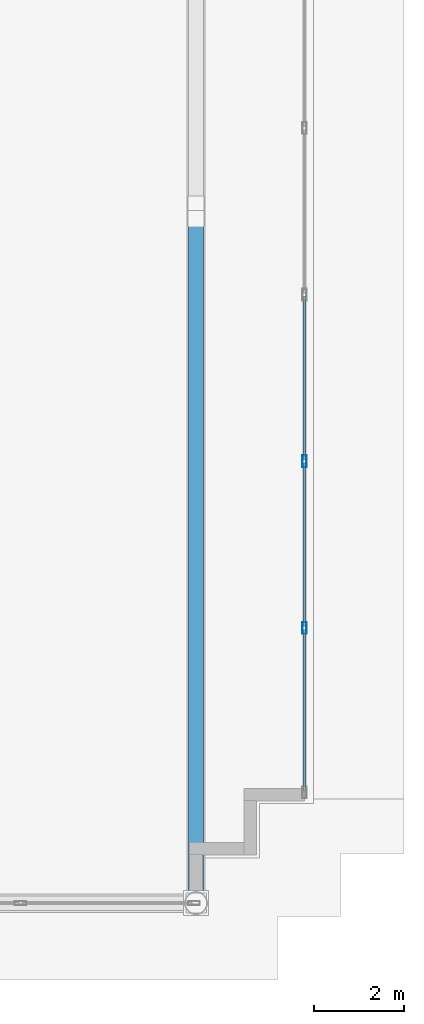
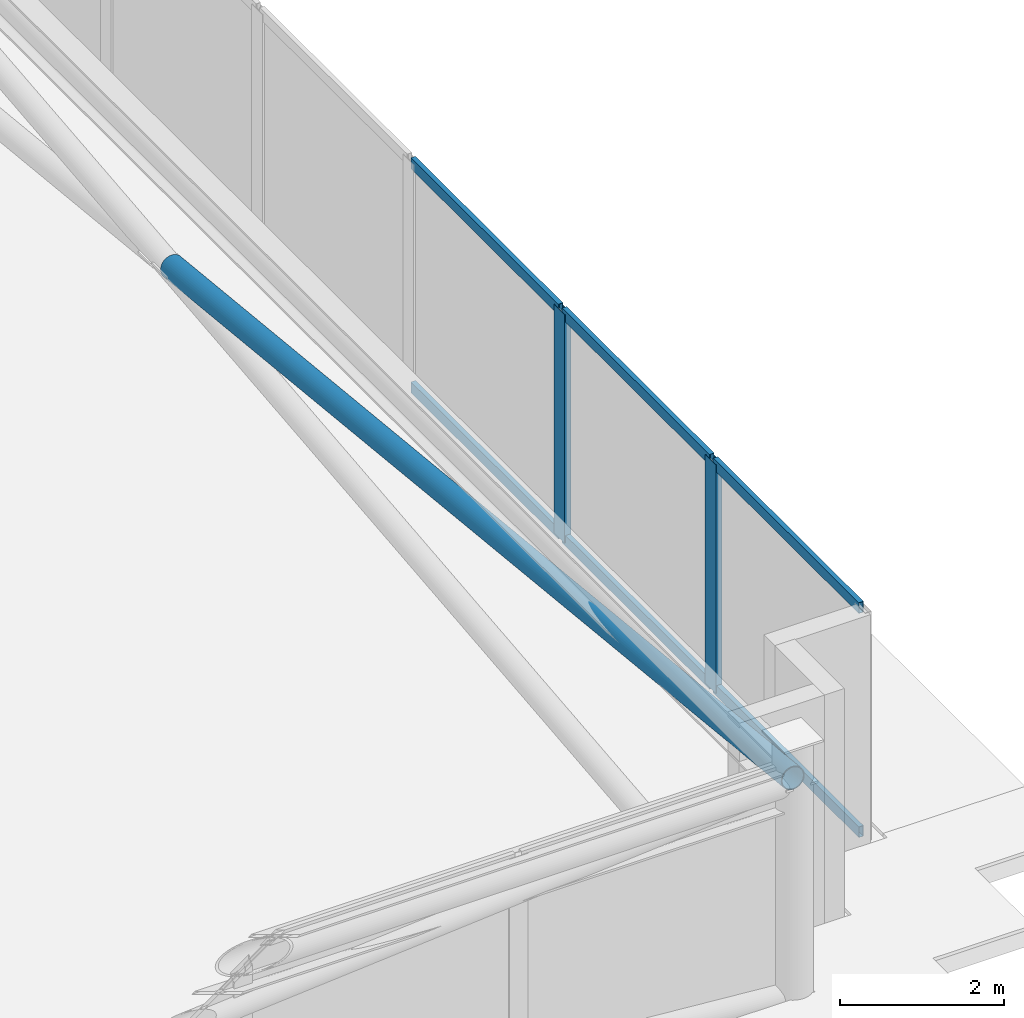
# One storey, part 15 of 23: 9 members, 1 element without a shape of its own.
"""IFC4 building model written with IfcOpenShell, lengths in metres."""

from ifc_helpers import new_model, si_unit, direction, frame, origin, origin_2d, place, context, subcontext, project, spatial, hollow_rectangle, hollow_circle, extrude, material, layer, layer_set, material_profile, profile_set, type_object, element, aggregate, save


model = new_model("IFC4")

# Units and contexts
model_context = context("Model", 3, precision=1e-05, world=origin(), true_north=direction((0.0, 1.0)))
body_context = subcontext(model_context, "Body", "Model", "MODEL_VIEW")
ifc_project = project(units=[si_unit("LENGTHUNIT", "METRE"), si_unit("AREAUNIT", "SQUARE_METRE"), si_unit("VOLUMEUNIT", "CUBIC_METRE"), si_unit("PLANEANGLEUNIT", "RADIAN"), si_unit("MASSUNIT", "GRAM", prefix="KILO")], contexts=[model_context])

# Site, building, storey
site_placement = place(None, origin())
site = spatial("IfcSite", under=ifc_project, at=site_placement, CompositionType="ELEMENT")
building_placement = place(site_placement, origin())
building = spatial("IfcBuilding", under=site, at=building_placement, Name="Qobustan Lattice House", CompositionType="ELEMENT")
storey_placement = place(building_placement, frame((0.0, 0.0, 270.199951171875)))
storey = spatial("IfcBuildingStorey", under=building, at=storey_placement, Name="L76", CompositionType="ELEMENT", Elevation=270.199951171875)

# Curtain wall, members
ifc_material_1 = material(Name="Anodised aluminium and low-E glazing", Category="aluminium")
ifc_layer = layer(ifc_material_1, 0.219970703125)
ifc_layer_set = layer_set([ifc_layer], Name="Anodised aluminium and low-E glazing")
curtain_wall_type = type_object("IfcCurtainWallType", Name="CW-CRN-01", PredefinedType="USERDEFINED", material=ifc_layer_set)
curtain_wall_placement = place(storey_placement, origin())
curtain_wall = element("IfcCurtainWall", 1, at=curtain_wall_placement, inside=storey, type_object=curtain_wall_type, Name="L76 glass-point crown faceted curtain wall 15", ObjectType="CURTAIN WALL", PredefinedType="USERDEFINED")
ifc_material_2 = material(Name="Anodised aluminium EN AW-6063 T6", Category="aluminium")
ifc_material_profile_1 = material_profile(ifc_material_2, hollow_rectangle(XDim=0.090087890625, YDim=0.260009765625, WallThickness=0.006103515625, at=origin_2d()), Name="CWM-CROWN-260x90")
ifc_profile_set_1 = profile_set([ifc_material_profile_1], Name="Anodised aluminium EN AW-6063 T6")
member_type_1 = type_object("IfcMemberType", Name="CWM-CRN-260", PredefinedType="MULLION", material=ifc_profile_set_1)
member_1_placement = place(storey_placement, frame((21.60009765625, -7.128662109375, 0.0), z_axis=(0.0, 0.0, 1.0), x_axis=(1.0, 0.0, 0.0)))
member_1 = element("IfcMember", 2, at=member_1_placement, type_object=member_type_1, Name="CW-CR mullion 6", PredefinedType="MULLION", context=body_context, shape_type="SweptSolid", body=[
    extrude(hollow_rectangle(XDim=0.090087890625, YDim=0.260009765625, WallThickness=0.006103515625, at=origin_2d()), origin(), (0.0, 0.0, 1.0), 3.400146484375),
])
member_2_placement = place(storey_placement, frame((21.60009765625, -10.814208984375, 0.0), z_axis=(0.0, 0.0, 1.0), x_axis=(1.0, 0.0, 0.0)))
member_2 = element("IfcMember", 3, at=member_2_placement, type_object=member_type_1, Name="CW-CR mullion 7", PredefinedType="MULLION", context=body_context, shape_type="SweptSolid", body=[
    extrude(hollow_rectangle(XDim=0.090087890625, YDim=0.260009765625, WallThickness=0.006103515625, at=origin_2d()), origin(), (0.0, 0.0, 1.0), 3.400146484375),
])
ifc_material_3 = material(Name="Anodised aluminium EN AW-6063 T6", Category="aluminium")
ifc_material_profile_2 = material_profile(ifc_material_3, hollow_rectangle(XDim=0.06494140625, YDim=0.159912109375, WallThickness=0.00390625, at=origin_2d()), Name="CWT-160x65")
ifc_profile_set_2 = profile_set([ifc_material_profile_2], Name="Anodised aluminium EN AW-6063 T6")
member_type_2 = type_object("IfcMemberType", Name="CWT-HOR-160", PredefinedType="USERDEFINED", material=ifc_profile_set_2)
member_3_placement = place(storey_placement, frame((21.60009765625, -3.48779296875, 0.032470703125), z_axis=(0.0, -1.0, 0.0), x_axis=(1.0, 0.0, 0.0)))
member_3 = element("IfcMember", 4, at=member_3_placement, type_object=member_type_2, Name="CW-CR transom 5.1", ObjectType="TRANSOM", PredefinedType="USERDEFINED", context=body_context, shape_type="SweptSolid", body=[
    extrude(hollow_rectangle(XDim=0.06494140625, YDim=0.159912109375, WallThickness=0.00390625, at=origin_2d()), origin(), (0.0, 0.0, 1.0), 3.595703125),
])
member_4_placement = place(storey_placement, frame((21.60009765625, -3.48779296875, 3.367431640625), z_axis=(0.0, -1.0, 0.0), x_axis=(1.0, 0.0, 0.0)))
member_4 = element("IfcMember", 5, at=member_4_placement, type_object=member_type_2, Name="CW-CR transom 5.2", ObjectType="TRANSOM", PredefinedType="USERDEFINED", context=body_context, shape_type="SweptSolid", body=[
    extrude(hollow_rectangle(XDim=0.06494140625, YDim=0.159912109375, WallThickness=0.00390625, at=origin_2d()), origin(), (0.0, 0.0, 1.0), 3.595703125),
])
member_5_placement = place(storey_placement, frame((21.60009765625, -7.173583984375, 0.032470703125), z_axis=(0.0, -1.0, 0.0), x_axis=(1.0, 0.0, 0.0)))
member_5 = element("IfcMember", 6, at=member_5_placement, type_object=member_type_2, Name="CW-CR transom 6.1", ObjectType="TRANSOM", PredefinedType="USERDEFINED", context=body_context, shape_type="SweptSolid", body=[
    extrude(hollow_rectangle(XDim=0.06494140625, YDim=0.159912109375, WallThickness=0.00390625, at=origin_2d()), origin(), (0.0, 0.0, 1.0), 3.595703125),
])
member_6_placement = place(storey_placement, frame((21.60009765625, -7.173583984375, 3.367431640625), z_axis=(0.0, -1.0, 0.0), x_axis=(1.0, 0.0, 0.0)))
member_6 = element("IfcMember", 7, at=member_6_placement, type_object=member_type_2, Name="CW-CR transom 6.2", ObjectType="TRANSOM", PredefinedType="USERDEFINED", context=body_context, shape_type="SweptSolid", body=[
    extrude(hollow_rectangle(XDim=0.06494140625, YDim=0.159912109375, WallThickness=0.00390625, at=origin_2d()), origin(), (0.0, 0.0, 1.0), 3.595703125),
])
member_7_placement = place(storey_placement, frame((21.60009765625, -10.859375, 0.032470703125), z_axis=(0.0, -1.0, 0.0), x_axis=(1.0, 0.0, 0.0)))
member_7 = element("IfcMember", 8, at=member_7_placement, type_object=member_type_2, Name="CW-CR transom 7.1", ObjectType="TRANSOM", PredefinedType="USERDEFINED", context=body_context, shape_type="SweptSolid", body=[
    extrude(hollow_rectangle(XDim=0.06494140625, YDim=0.159912109375, WallThickness=0.00390625, at=origin_2d()), origin(), (0.0, 0.0, 1.0), 3.550537109375),
])
member_8_placement = place(storey_placement, frame((21.60009765625, -10.859375, 3.367431640625), z_axis=(0.0, -1.0, 0.0), x_axis=(1.0, 0.0, 0.0)))
member_8 = element("IfcMember", 9, at=member_8_placement, type_object=member_type_2, Name="CW-CR transom 7.2", ObjectType="TRANSOM", PredefinedType="USERDEFINED", context=body_context, shape_type="SweptSolid", body=[
    extrude(hollow_rectangle(XDim=0.06494140625, YDim=0.159912109375, WallThickness=0.00390625, at=origin_2d()), origin(), (0.0, 0.0, 1.0), 3.550537109375),
])
aggregate(curtain_wall, [member_1, member_2, member_3, member_4, member_5, member_6, member_7, member_8])

# Member
ifc_material_4 = material(Name="Steel S355", Category="steel")
ifc_material_profile_3 = material_profile(ifc_material_4, hollow_circle(Radius=0.161865234375, WallThickness=0.012451171875, at=origin_2d()), Name="CHS323.9x12.5")
ifc_profile_set_3 = profile_set([ifc_material_profile_3], Name="Steel S355")
member_type_3 = type_object("IfcMemberType", Name="MEM-CBR-CHS324", PredefinedType="BRACE", material=ifc_profile_set_3)
member_9_placement = place(storey_placement, frame((19.199951171875, -1.76708984375, 1.61474609375), z_axis=(0.0, -0.994693662734, 0.102881083373), x_axis=(1.0, 0.0, 0.0)))
element("IfcMember", 10, at=member_9_placement, inside=storey, type_object=member_type_3, Name="L76 crown diagrid split brace 2B upper", PredefinedType="BRACE", context=body_context, shape_type="SweptSolid", body=[
    extrude(hollow_circle(Radius=0.161865234375, WallThickness=0.012451171875, at=origin_2d()), origin(), (0.0, 0.0, 1.0), 15.213623046875),
])

save(model, "model.ifc")
